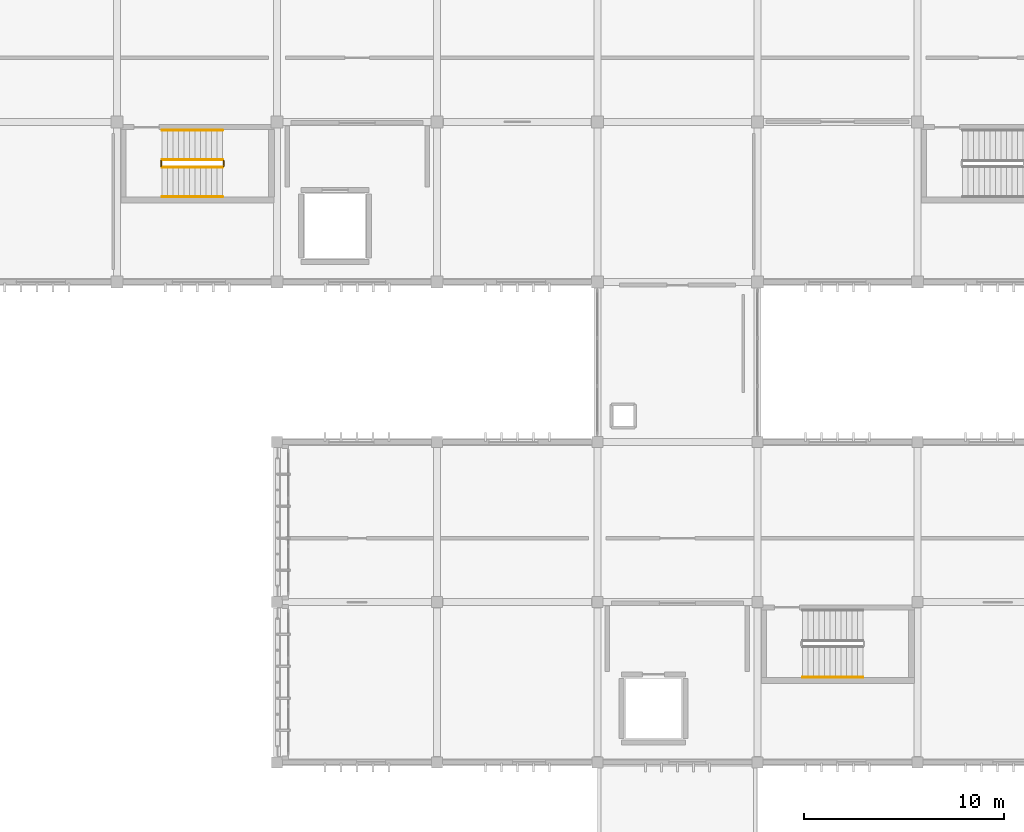
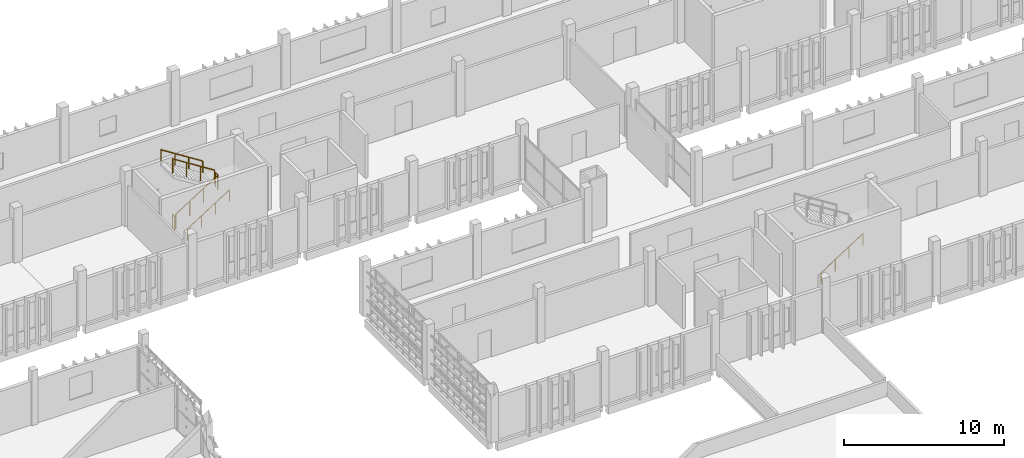
# One storey, part 46 of 48: 7 railings.
"""IFC4 building model written with IfcOpenShell, lengths in metres."""

from ifc_helpers import new_model, si_unit, direction, frame, origin, origin_2d, place, context, subcontext, project, spatial, circle, extrude, material, type_object, element, save


model = new_model("IFC4")

# Units and contexts
model_context = context("Model", 3, precision=1e-05, world=origin(), true_north=direction((0.0, 1.0)))
body_context = subcontext(model_context, "Body", "Model", "MODEL_VIEW")
ifc_project = project(units=[si_unit("LENGTHUNIT", "METRE"), si_unit("AREAUNIT", "SQUARE_METRE"), si_unit("VOLUMEUNIT", "CUBIC_METRE"), si_unit("PLANEANGLEUNIT", "RADIAN"), si_unit("MASSUNIT", "GRAM", prefix="KILO")], contexts=[model_context])

# Site, building, storey
site_placement = place(None, origin())
site = spatial("IfcSite", under=ifc_project, at=site_placement, CompositionType="ELEMENT")
building_placement = place(site_placement, origin())
building = spatial("IfcBuilding", under=site, at=building_placement, Name="Jelvoka-Kovrelna Polytechnic", CompositionType="ELEMENT")
storey_placement = place(building_placement, frame((0.0, 0.0, 22.199951171875)))
storey = spatial("IfcBuildingStorey", under=building, at=storey_placement, Name="L06", CompositionType="ELEMENT", Elevation=22.199951171875)

# Railings
ifc_material_1 = material(Name="Powder-coated steel stair guard", Category="steel")
railing_type_1 = type_object("IfcRailingType", Name="Railing_Stair_Guard_1100", PredefinedType="GUARDRAIL", material=ifc_material_1)
railing_1_placement = place(storey_placement, frame((122.25, 61.72998046875, 0.175048828125)))
element("IfcRailing", 1, at=railing_1_placement, inside=storey, type_object=railing_type_1, Name="L06 ST11 stair guard 1", PredefinedType="GUARDRAIL", context=body_context, shape_type="SweptSolid", body=[
    extrude(circle(Radius=0.02392578125, at=origin_2d()), frame((0.0, 0.0, 1.076171875), z_axis=(0.84364746871, 0.0, 0.536897521451), x_axis=(0.0, 1.0, 0.0)), (0.0, 0.0, 1.0), 3.58544921875),
    extrude(circle(Radius=0.02099609375, at=origin_2d()), origin(), (0.0, 0.0, 1.0), 1.052001953125),
    extrude(circle(Radius=0.02099609375, at=origin_2d()), frame((1.00830078125, 0.0, 0.6416015625)), (0.0, 0.0, 1.0), 1.052001953125),
    extrude(circle(Radius=0.02099609375, at=origin_2d()), frame((2.0166015625, 0.0, 1.283447265625)), (0.0, 0.0, 1.0), 1.052001953125),
    extrude(circle(Radius=0.02099609375, at=origin_2d()), frame((3.02490234375, 0.0, 1.925048828125)), (0.0, 0.0, 1.0), 1.052001953125),
])
railing_2_placement = place(storey_placement, frame((125.324951171875, 61.780029296875, 2.10009765625)))
element("IfcRailing", 2, at=railing_2_placement, inside=storey, type_object=railing_type_1, Name="L06 ST11 stair guard 2", PredefinedType="GUARDRAIL", context=body_context, shape_type="SweptSolid", body=[
    extrude(circle(Radius=0.02392578125, at=origin_2d()), frame((0.0, 0.0, 1.076171875), z_axis=(0.0, 1.0, 0.0), x_axis=(-1.0, 0.0, 0.0)), (0.0, 0.0, 1.0), 0.280029296875),
    extrude(circle(Radius=0.02099609375, at=origin_2d()), origin(), (0.0, 0.0, 1.0), 1.052001953125),
    extrude(circle(Radius=0.02099609375, at=origin_2d()), frame((0.0, 0.280029296875, 0.0)), (0.0, 0.0, 1.0), 1.052001953125),
])
railing_3_placement = place(storey_placement, frame((125.27490234375, 62.110107421875, 2.275146484375)))
element("IfcRailing", 3, at=railing_3_placement, inside=storey, type_object=railing_type_1, Name="L06 ST11 stair guard 3", PredefinedType="GUARDRAIL", context=body_context, shape_type="SweptSolid", body=[
    extrude(circle(Radius=0.02392578125, at=origin_2d()), frame((0.0, 0.0, 1.076171875), z_axis=(-0.843678310415, 0.0, 0.536849055634), x_axis=(0.0, -1.0, 0.0)), (0.0, 0.0, 1.0), 3.58544921875),
    extrude(circle(Radius=0.02099609375, at=origin_2d()), origin(), (0.0, 0.0, 1.0), 1.052001953125),
    extrude(circle(Radius=0.02099609375, at=origin_2d()), frame((-1.00830078125, 0.0, 0.6416015625)), (0.0, 0.0, 1.0), 1.052001953125),
    extrude(circle(Radius=0.02099609375, at=origin_2d()), frame((-2.0166015625, 0.0, 1.283203125)), (0.0, 0.0, 1.0), 1.052001953125),
    extrude(circle(Radius=0.02099609375, at=origin_2d()), frame((-3.02490234375, 0.0, 1.9248046875)), (0.0, 0.0, 1.0), 1.052001953125),
])
railing_4_placement = place(storey_placement, frame((122.199951171875, 61.780029296875, 0.0)))
element("IfcRailing", 4, at=railing_4_placement, inside=storey, type_object=railing_type_1, Name="L06 ST11 stair guard 4", PredefinedType="GUARDRAIL", context=body_context, shape_type="SweptSolid", body=[
    extrude(circle(Radius=0.02392578125, at=origin_2d()), frame((0.0, 0.0, 1.076171875), z_axis=(0.0, 1.0, 0.0), x_axis=(-1.0, 0.0, 0.0)), (0.0, 0.0, 1.0), 0.280029296875),
    extrude(circle(Radius=0.02099609375, at=origin_2d()), origin(), (0.0, 0.0, 1.0), 1.052001953125),
    extrude(circle(Radius=0.02099609375, at=origin_2d()), frame((0.0, 0.280029296875, 0.0)), (0.0, 0.0, 1.0), 1.052001953125),
])
ifc_material_2 = material(Name="Brushed stainless steel handrail", Category="steel")
railing_type_2 = type_object("IfcRailingType", Name="Railing_Stair_Handrail_900", PredefinedType="HANDRAIL", material=ifc_material_2)
for number, where, name in (
    (5, (154.25, 36.25, 0.175048828125), "L06 ST08 stair handrail 1"),
    (6, (122.25, 60.25, 0.175048828125), "L06 ST11 stair handrail 1"),
):
    element("IfcRailing", number, at=place(storey_placement, frame(where)), inside=storey, type_object=railing_type_2, Name=name, PredefinedType="HANDRAIL", context=body_context, shape_type="SweptSolid", body=[
        extrude(circle(Radius=0.02392578125, at=origin_2d()), frame((0.0, 0.0, 0.8759765625), z_axis=(0.84364746871, 0.0, 0.536897521451), x_axis=(0.0, 1.0, 0.0)), (0.0, 0.0, 1.0), 3.58544921875),
        extrude(circle(Radius=0.02099609375, at=origin_2d()), origin(), (0.0, 0.0, 1.0), 0.851806640625),
        extrude(circle(Radius=0.02099609375, at=origin_2d()), frame((1.00830078125, 0.0, 0.6416015625)), (0.0, 0.0, 1.0), 0.851806640625),
        extrude(circle(Radius=0.02099609375, at=origin_2d()), frame((2.0166015625, 0.0, 1.283447265625)), (0.0, 0.0, 1.0), 0.851806640625),
        extrude(circle(Radius=0.02099609375, at=origin_2d()), frame((3.02490234375, 0.0, 1.925048828125)), (0.0, 0.0, 1.0), 0.851806640625),
    ])
railing_5_placement = place(storey_placement, frame((125.27490234375, 63.590087890625, 2.275146484375)))
element("IfcRailing", 7, at=railing_5_placement, inside=storey, type_object=railing_type_2, Name="L06 ST11 stair handrail 2", PredefinedType="HANDRAIL", context=body_context, shape_type="SweptSolid", body=[
    extrude(circle(Radius=0.02392578125, at=origin_2d()), frame((0.0, 0.0, 0.8759765625), z_axis=(-0.843678310415, 0.0, 0.536849055634), x_axis=(0.0, -1.0, 0.0)), (0.0, 0.0, 1.0), 3.58544921875),
    extrude(circle(Radius=0.02099609375, at=origin_2d()), origin(), (0.0, 0.0, 1.0), 0.851806640625),
    extrude(circle(Radius=0.02099609375, at=origin_2d()), frame((-1.00830078125, 0.0, 0.6416015625)), (0.0, 0.0, 1.0), 0.851806640625),
    extrude(circle(Radius=0.02099609375, at=origin_2d()), frame((-2.0166015625, 0.0, 1.283203125)), (0.0, 0.0, 1.0), 0.851806640625),
    extrude(circle(Radius=0.02099609375, at=origin_2d()), frame((-3.02490234375, 0.0, 1.9248046875)), (0.0, 0.0, 1.0), 0.851806640625),
])

save(model, "model.ifc")
